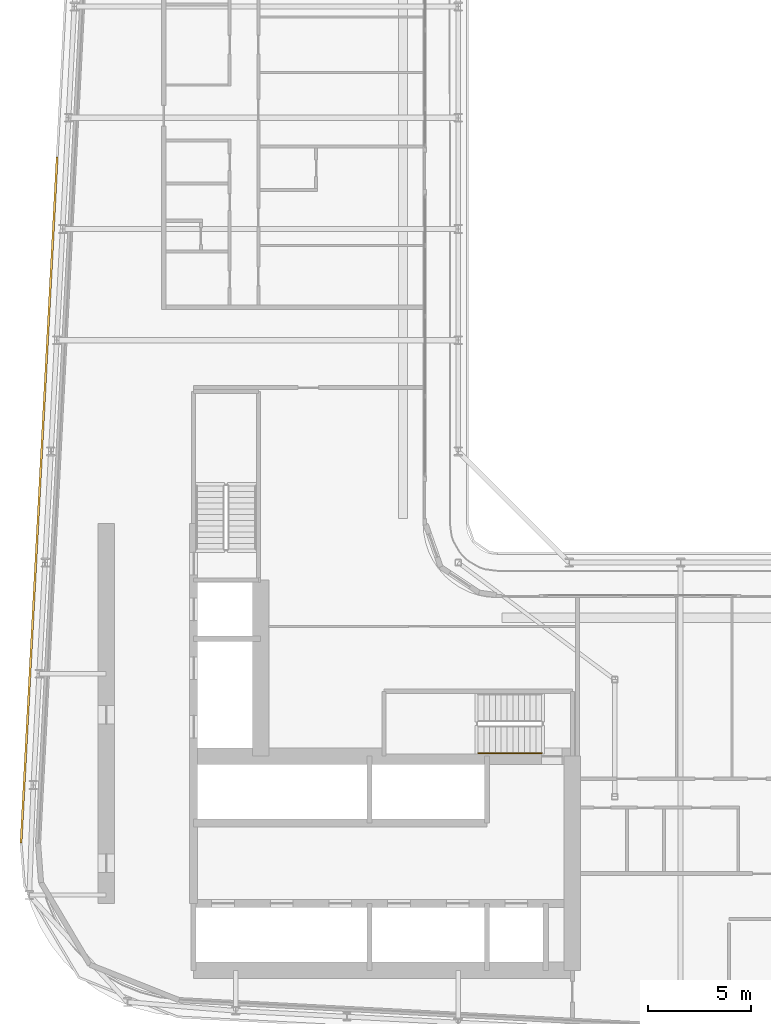
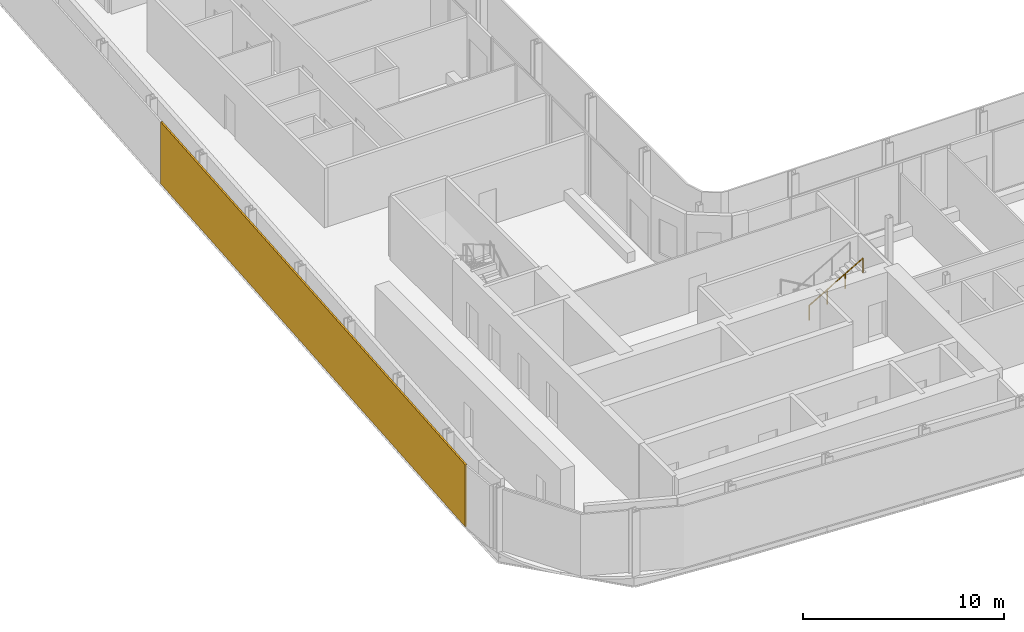
# One storey, part 22 of 28: 1 railing, 1 shading device.
"""IFC4 building model written with IfcOpenShell, lengths in metres."""

from ifc_helpers import new_model, si_unit, direction, frame, origin, origin_2d, place, context, subcontext, project, spatial, rectangle, circle, extrude, material, layer, layer_set, type_object, element, save


model = new_model("IFC4")

# Units and contexts
model_context = context("Model", 3, precision=1e-05, world=origin(), true_north=direction((0.0, 1.0)))
body_context = subcontext(model_context, "Body", "Model", "MODEL_VIEW")
ifc_project = project(units=[si_unit("LENGTHUNIT", "METRE"), si_unit("AREAUNIT", "SQUARE_METRE"), si_unit("VOLUMEUNIT", "CUBIC_METRE"), si_unit("PLANEANGLEUNIT", "RADIAN"), si_unit("MASSUNIT", "GRAM", prefix="KILO")], contexts=[model_context])

# Site, building, storey
site_placement = place(None, origin())
site = spatial("IfcSite", under=ifc_project, at=site_placement, CompositionType="ELEMENT")
building_placement = place(site_placement, origin())
building = spatial("IfcBuilding", under=site, at=building_placement, Name="Kheshtan School and Residences Tower", CompositionType="ELEMENT")
storey_placement = place(building_placement, frame((0.0, 0.0, 187.699951171875)))
storey = spatial("IfcBuildingStorey", under=building, at=storey_placement, Name="L44", CompositionType="ELEMENT", Elevation=187.699951171875)

# Shading device
ifc_material_1 = material(Name="Terracotta baguette, extruded ceramic", Category="masonry")
ifc_layer = layer(ifc_material_1, 0.10009765625)
ifc_layer_set = layer_set([ifc_layer], Name="Ledge screen, terracotta baguettes")
shading_device_type = type_object("IfcShadingDeviceType", Name="Ledge screen, terracotta baguettes", PredefinedType="USERDEFINED", material=ifc_layer_set)
shading_device_placement = place(storey_placement, frame((27.24609375, 48.638916015625, 0.0), z_axis=(0.0, 0.0, 1.0), x_axis=(0.052562536748, 0.998617634398, 0.0)))
element("IfcShadingDevice", 1, at=shading_device_placement, inside=storey, type_object=shading_device_type, Name="Screen L44 4", ObjectType="BAGUETTE", PredefinedType="USERDEFINED", context=body_context, shape_type="SweptSolid", body=[
    extrude(rectangle(XDim=33.341064453125, YDim=0.10009765625, at=origin_2d()), origin(), (0.0, 0.0, 1.0), 3.75),
])

# Railing
ifc_material_2 = material(Name="Stainless steel handrail", Category="steel")
railing_type = type_object("IfcRailingType", Name="Stair handrail 900", PredefinedType="HANDRAIL", material=ifc_material_2)
railing_placement = place(storey_placement, frame((48.570068359375, 36.35009765625, 2.112548828125)))
element("IfcRailing", 2, at=railing_placement, inside=storey, type_object=railing_type, Name="L44 ST1 stair handrail 2", PredefinedType="HANDRAIL", context=body_context, shape_type="SweptSolid", body=[
    extrude(circle(Radius=0.02392578125, at=origin_2d()), frame((0.0, 0.0, 0.8759765625), z_axis=(0.864873446163, 0.0, 0.501989962173), x_axis=(0.0, 1.0, 0.0)), (0.0, 0.0, 1.0), 3.56103515625),
    extrude(circle(Radius=0.02099609375, at=origin_2d()), origin(), (0.0, 0.0, 1.0), 0.851806640625),
    extrude(circle(Radius=0.02099609375, at=origin_2d()), frame((1.026611328125, 0.0, 0.595947265625)), (0.0, 0.0, 1.0), 0.851806640625),
    extrude(circle(Radius=0.02099609375, at=origin_2d()), frame((2.05322265625, 0.0, 1.191650390625)), (0.0, 0.0, 1.0), 0.851806640625),
    extrude(circle(Radius=0.02099609375, at=origin_2d()), frame((3.079833984375, 0.0, 1.78759765625)), (0.0, 0.0, 1.0), 0.851806640625),
])

save(model, "model.ifc")
